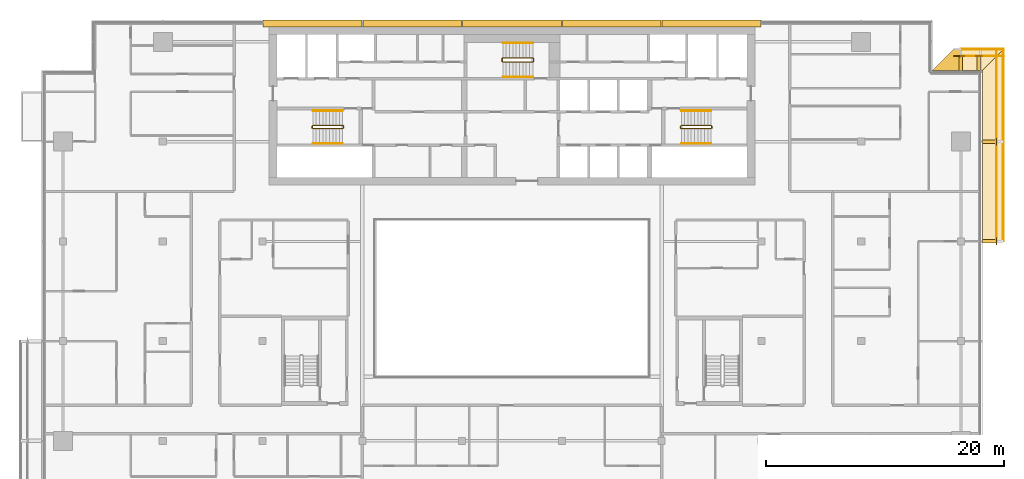
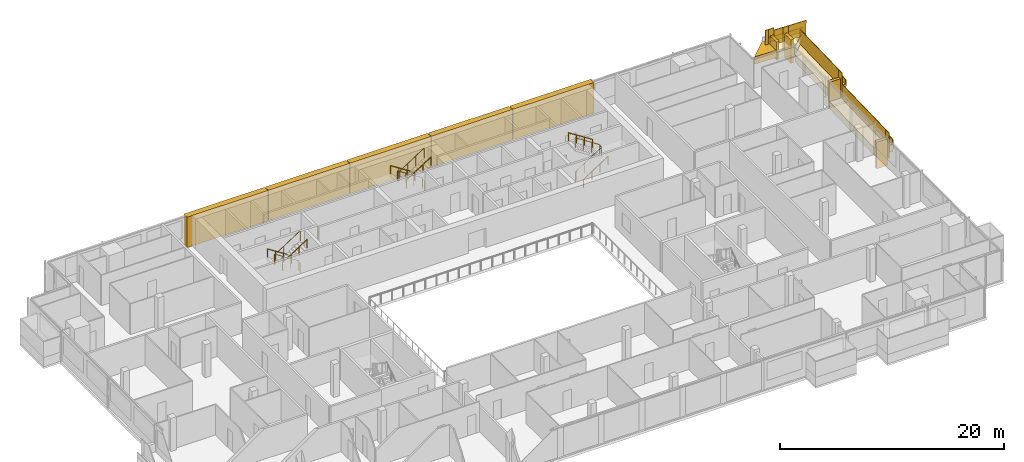
# One storey, part 28 of 30: 17 railings, 16 coverings.
"""IFC4 building model written with IfcOpenShell, lengths in metres."""

from ifc_helpers import new_model, si_unit, direction, frame, origin, origin_2d, place, context, subcontext, project, spatial, polyline, rectangle, circle, outline, extrude, material, layer, layer_set, type_object, element, save


model = new_model("IFC4")

# Units and contexts
model_context = context("Model", 3, precision=1e-05, world=origin(), true_north=direction((0.0, 1.0)))
body_context = subcontext(model_context, "Body", "Model", "MODEL_VIEW")
ifc_project = project(units=[si_unit("LENGTHUNIT", "METRE"), si_unit("AREAUNIT", "SQUARE_METRE"), si_unit("VOLUMEUNIT", "CUBIC_METRE"), si_unit("PLANEANGLEUNIT", "RADIAN"), si_unit("MASSUNIT", "GRAM", prefix="KILO")], contexts=[model_context])

# Site, building, storey
site_placement = place(None, origin())
site = spatial("IfcSite", under=ifc_project, at=site_placement, CompositionType="ELEMENT")
building_placement = place(site_placement, origin())
building = spatial("IfcBuilding", under=site, at=building_placement, Name="Saffron Gate Tower", CompositionType="ELEMENT")
storey_placement = place(building_placement, frame((0.0, 0.0, 223.5)))
storey = spatial("IfcBuildingStorey", under=building, at=storey_placement, Name="L54", CompositionType="ELEMENT", Elevation=223.5)

# Coverings
ifc_material_1 = material(Name="Ceramic-printed bronze insulated panel")
ifc_layer_1 = layer(ifc_material_1, 0.590087890625)
ifc_layer_set_1 = layer_set([ifc_layer_1], Name="CLD4 ceramic-printed cladding panel 590")
covering_type_1 = type_object("IfcCoveringType", Name="CLD4 ceramic-printed cladding panel 590", PredefinedType="CLADDING", material=ifc_layer_set_1)
covering_1_placement = place(storey_placement, origin())
element("IfcCovering", 1, at=covering_1_placement, inside=storey, type_object=covering_type_1, Name="CLADDING ceramic-printed panel", PredefinedType="CLADDING", context=body_context, shape_type="SweptSolid", body=[
    extrude(outline(polyline([(108.56494140625, 75.639892578125), (100.235107421875, 75.639892578125), (100.235107421875, 75.050048828125), (108.56494140625, 75.050048828125), (108.56494140625, 75.639892578125)])), origin(), (0.0, 0.0, 1.0), 3.320068359375),
])
covering_2_placement = place(storey_placement, origin())
element("IfcCovering", 2, at=covering_2_placement, inside=storey, type_object=covering_type_1, Name="CLADDING ceramic-printed panel", PredefinedType="CLADDING", context=body_context, shape_type="SweptSolid", body=[
    extrude(outline(polyline([(100.1650390625, 75.639892578125), (91.8349609375, 75.639892578125), (91.8349609375, 75.050048828125), (100.1650390625, 75.050048828125), (100.1650390625, 75.639892578125)])), origin(), (0.0, 0.0, 1.0), 3.320068359375),
])
covering_3_placement = place(storey_placement, origin())
element("IfcCovering", 3, at=covering_3_placement, inside=storey, type_object=covering_type_1, Name="CLADDING ceramic-printed panel", PredefinedType="CLADDING", context=body_context, shape_type="SweptSolid", body=[
    extrude(outline(polyline([(91.764892578125, 75.639892578125), (83.43505859375, 75.639892578125), (83.43505859375, 75.050048828125), (91.764892578125, 75.050048828125), (91.764892578125, 75.639892578125)])), origin(), (0.0, 0.0, 1.0), 3.320068359375),
])
covering_4_placement = place(storey_placement, origin())
element("IfcCovering", 4, at=covering_4_placement, inside=storey, type_object=covering_type_1, Name="CLADDING ceramic-printed panel", PredefinedType="CLADDING", context=body_context, shape_type="SweptSolid", body=[
    extrude(outline(polyline([(83.364990234375, 75.639892578125), (75.034912109375, 75.639892578125), (75.034912109375, 75.050048828125), (83.364990234375, 75.050048828125), (83.364990234375, 75.639892578125)])), origin(), (0.0, 0.0, 1.0), 3.320068359375),
])
covering_5_placement = place(storey_placement, origin())
element("IfcCovering", 5, at=covering_5_placement, inside=storey, type_object=covering_type_1, Name="CLADDING ceramic-printed panel", PredefinedType="CLADDING", context=body_context, shape_type="SweptSolid", body=[
    extrude(outline(polyline([(74.965087890625, 75.639892578125), (66.635009765625, 75.639892578125), (66.635009765625, 75.050048828125), (74.965087890625, 75.050048828125), (74.965087890625, 75.639892578125)])), origin(), (0.0, 0.0, 1.0), 3.320068359375),
])

# Railings
ifc_material_2 = material(Name="Stainless steel and laminated glass", Category="steel")
railing_type_1 = type_object("IfcRailingType", Name="CR1 Stair guard 1100", PredefinedType="GUARDRAIL", material=ifc_material_2)
railing_1_placement = place(storey_placement, frame((73.39990234375, 66.550048828125, 0.0)))
element("IfcRailing", 6, at=railing_1_placement, inside=storey, type_object=railing_type_1, Name="L54 ST-A stair guard 1", PredefinedType="GUARDRAIL", context=body_context, shape_type="SweptSolid", body=[
    extrude(circle(Radius=0.02392578125, at=origin_2d()), frame((0.0, 0.0, 1.076171875), z_axis=(0.0, 1.0, 0.0), x_axis=(-1.0, 0.0, 0.0)), (0.0, 0.0, 1.0), 0.14990234375),
    extrude(circle(Radius=0.02392578125, at=origin_2d()), frame((0.0, 0.14990234375, 1.076171875), z_axis=(-0.257669022063, 0.258932105505, 0.930892496375), x_axis=(-0.708833529934, -0.705375805398, 0.0)), (0.0, 0.0, 1.0), 0.193359375),
    extrude(circle(Radius=0.02392578125, at=origin_2d()), frame((-0.0498046875, 0.199951171875, 1.255859375), z_axis=(-0.841162588446, 0.0, 0.540782303519), x_axis=(0.0, -1.0, 0.0)), (0.0, 0.0, 1.0), 2.995849609375),
    extrude(circle(Radius=0.02392578125, at=origin_2d()), frame((-2.56982421875, 0.199951171875, 2.8759765625), z_axis=(-0.707106781187, -0.707106781187, 0.0), x_axis=(0.707106781187, -0.707106781187, 0.0)), (0.0, 0.0, 1.0), 0.07080078125),
    extrude(circle(Radius=0.02392578125, at=origin_2d()), frame((-2.619873046875, 0.14990234375, 2.8759765625), z_axis=(0.0, -1.0, 0.0), x_axis=(1.0, 0.0, 0.0)), (0.0, 0.0, 1.0), 0.14990234375),
    extrude(circle(Radius=0.02392578125, at=origin_2d()), frame((-2.619873046875, 0.0, 2.8759765625), z_axis=(0.258847668887, -0.258847668887, 0.930588936439), x_axis=(0.707106781187, 0.707106781187, 0.0)), (0.0, 0.0, 1.0), 0.193359375),
    extrude(circle(Radius=0.02392578125, at=origin_2d()), frame((-2.56982421875, -0.050048828125, 3.05615234375), z_axis=(0.841162588446, 0.0, 0.540782303519), x_axis=(0.0, 1.0, 0.0)), (0.0, 0.0, 1.0), 2.995849609375),
    extrude(circle(Radius=0.02099609375, at=origin_2d()), origin(), (0.0, 0.0, 1.0), 1.052001953125),
    extrude(circle(Radius=0.02099609375, at=origin_2d()), frame((0.0, 0.14990234375, 0.0)), (0.0, 0.0, 1.0), 1.052001953125),
    extrude(circle(Radius=0.02099609375, at=origin_2d()), frame((-0.0498046875, 0.199951171875, 0.179931640625)), (0.0, 0.0, 1.0), 1.052001953125),
    extrude(circle(Radius=0.02099609375, at=origin_2d()), frame((-0.889892578125, 0.199951171875, 0.719970703125)), (0.0, 0.0, 1.0), 1.052001953125),
    extrude(circle(Radius=0.02099609375, at=origin_2d()), frame((-1.729736328125, 0.199951171875, 1.260009765625)), (0.0, 0.0, 1.0), 1.052001953125),
    extrude(circle(Radius=0.02099609375, at=origin_2d()), frame((-2.56982421875, 0.199951171875, 1.800048828125)), (0.0, 0.0, 1.0), 1.052001953125),
    extrude(circle(Radius=0.02099609375, at=origin_2d()), frame((-2.619873046875, 0.14990234375, 1.800048828125)), (0.0, 0.0, 1.0), 1.052001953125),
    extrude(circle(Radius=0.02099609375, at=origin_2d()), frame((-2.619873046875, 0.0, 1.800048828125)), (0.0, 0.0, 1.0), 1.052001953125),
    extrude(circle(Radius=0.02099609375, at=origin_2d()), frame((-2.56982421875, -0.050048828125, 1.97998046875)), (0.0, 0.0, 1.0), 1.052001953125),
    extrude(circle(Radius=0.02099609375, at=origin_2d()), frame((-1.729736328125, -0.050048828125, 2.52001953125)), (0.0, 0.0, 1.0), 1.052001953125),
    extrude(circle(Radius=0.02099609375, at=origin_2d()), frame((-0.889892578125, -0.050048828125, 3.06005859375)), (0.0, 0.0, 1.0), 1.052001953125),
    extrude(circle(Radius=0.02099609375, at=origin_2d()), frame((-0.0498046875, -0.050048828125, 3.60009765625)), (0.0, 0.0, 1.0), 1.052001953125),
])
railing_2_placement = place(storey_placement, frame((101.800048828125, 66.699951171875, 0.0)))
element("IfcRailing", 7, at=railing_2_placement, inside=storey, type_object=railing_type_1, Name="L54 ST-B stair guard 1", PredefinedType="GUARDRAIL", context=body_context, shape_type="SweptSolid", body=[
    extrude(circle(Radius=0.02392578125, at=origin_2d()), frame((0.0, 0.0, 1.076171875), z_axis=(0.0, -1.0, 0.0), x_axis=(1.0, 0.0, 0.0)), (0.0, 0.0, 1.0), 0.14990234375),
    extrude(circle(Radius=0.02392578125, at=origin_2d()), frame((0.0, -0.14990234375, 1.076171875), z_axis=(0.258847668887, -0.258847668887, 0.930588936439), x_axis=(0.707106781187, 0.707106781187, 0.0)), (0.0, 0.0, 1.0), 0.193359375),
    extrude(circle(Radius=0.02392578125, at=origin_2d()), frame((0.050048828125, -0.199951171875, 1.255859375), z_axis=(0.841162588446, 0.0, 0.540782303519), x_axis=(0.0, 1.0, 0.0)), (0.0, 0.0, 1.0), 2.995849609375),
    extrude(circle(Radius=0.02392578125, at=origin_2d()), frame((2.570068359375, -0.199951171875, 2.8759765625), z_axis=(0.705375805398, 0.708833529934, 0.0), x_axis=(-0.708833529934, 0.705375805398, 0.0)), (0.0, 0.0, 1.0), 0.070556640625),
    extrude(circle(Radius=0.02392578125, at=origin_2d()), frame((2.619873046875, -0.14990234375, 2.8759765625), z_axis=(0.0, 1.0, 0.0), x_axis=(-1.0, 0.0, 0.0)), (0.0, 0.0, 1.0), 0.14990234375),
    extrude(circle(Radius=0.02392578125, at=origin_2d()), frame((2.619873046875, 0.0, 2.8759765625), z_axis=(-0.257669022063, 0.258932105505, 0.930892496375), x_axis=(-0.708833529934, -0.705375805398, 0.0)), (0.0, 0.0, 1.0), 0.193359375),
    extrude(circle(Radius=0.02392578125, at=origin_2d()), frame((2.570068359375, 0.050048828125, 3.05615234375), z_axis=(-0.841162588446, 0.0, 0.540782303519), x_axis=(0.0, -1.0, 0.0)), (0.0, 0.0, 1.0), 2.995849609375),
    extrude(circle(Radius=0.02099609375, at=origin_2d()), origin(), (0.0, 0.0, 1.0), 1.052001953125),
    extrude(circle(Radius=0.02099609375, at=origin_2d()), frame((0.0, -0.14990234375, 0.0)), (0.0, 0.0, 1.0), 1.052001953125),
    extrude(circle(Radius=0.02099609375, at=origin_2d()), frame((0.050048828125, -0.199951171875, 0.179931640625)), (0.0, 0.0, 1.0), 1.052001953125),
    extrude(circle(Radius=0.02099609375, at=origin_2d()), frame((0.89013671875, -0.199951171875, 0.719970703125)), (0.0, 0.0, 1.0), 1.052001953125),
    extrude(circle(Radius=0.02099609375, at=origin_2d()), frame((1.72998046875, -0.199951171875, 1.260009765625)), (0.0, 0.0, 1.0), 1.052001953125),
    extrude(circle(Radius=0.02099609375, at=origin_2d()), frame((2.570068359375, -0.199951171875, 1.800048828125)), (0.0, 0.0, 1.0), 1.052001953125),
    extrude(circle(Radius=0.02099609375, at=origin_2d()), frame((2.619873046875, -0.14990234375, 1.800048828125)), (0.0, 0.0, 1.0), 1.052001953125),
    extrude(circle(Radius=0.02099609375, at=origin_2d()), frame((2.619873046875, 0.0, 1.800048828125)), (0.0, 0.0, 1.0), 1.052001953125),
    extrude(circle(Radius=0.02099609375, at=origin_2d()), frame((2.570068359375, 0.050048828125, 1.97998046875)), (0.0, 0.0, 1.0), 1.052001953125),
    extrude(circle(Radius=0.02099609375, at=origin_2d()), frame((1.72998046875, 0.050048828125, 2.52001953125)), (0.0, 0.0, 1.0), 1.052001953125),
    extrude(circle(Radius=0.02099609375, at=origin_2d()), frame((0.89013671875, 0.050048828125, 3.06005859375)), (0.0, 0.0, 1.0), 1.052001953125),
    extrude(circle(Radius=0.02099609375, at=origin_2d()), frame((0.050048828125, 0.050048828125, 3.60009765625)), (0.0, 0.0, 1.0), 1.052001953125),
])
railing_3_placement = place(storey_placement, frame((89.39990234375, 72.14990234375, 0.0)))
element("IfcRailing", 8, at=railing_3_placement, inside=storey, type_object=railing_type_1, Name="L54 ST-C stair guard 1", PredefinedType="GUARDRAIL", context=body_context, shape_type="SweptSolid", body=[
    extrude(circle(Radius=0.02392578125, at=origin_2d()), frame((0.0, 0.0, 1.076171875), z_axis=(0.0, 1.0, 0.0), x_axis=(-1.0, 0.0, 0.0)), (0.0, 0.0, 1.0), 0.25),
    extrude(circle(Radius=0.02392578125, at=origin_2d()), frame((0.0, 0.25, 1.076171875), z_axis=(-0.257669022063, 0.258932105505, 0.930892496375), x_axis=(-0.708833529934, -0.705375805398, 0.0)), (0.0, 0.0, 1.0), 0.193359375),
    extrude(circle(Radius=0.02392578125, at=origin_2d()), frame((-0.0498046875, 0.300048828125, 1.255859375), z_axis=(-0.841162588446, 0.0, 0.540782303519), x_axis=(0.0, -1.0, 0.0)), (0.0, 0.0, 1.0), 2.995849609375),
    extrude(circle(Radius=0.02392578125, at=origin_2d()), frame((-2.56982421875, 0.300048828125, 2.8759765625), z_axis=(-0.707106781187, -0.707106781187, 0.0), x_axis=(0.707106781187, -0.707106781187, 0.0)), (0.0, 0.0, 1.0), 0.07080078125),
    extrude(circle(Radius=0.02392578125, at=origin_2d()), frame((-2.619873046875, 0.25, 2.8759765625), z_axis=(0.0, -1.0, 0.0), x_axis=(1.0, 0.0, 0.0)), (0.0, 0.0, 1.0), 0.25),
    extrude(circle(Radius=0.02392578125, at=origin_2d()), frame((-2.619873046875, 0.0, 2.8759765625), z_axis=(0.258932105505, -0.257669022063, 0.930892496375), x_axis=(0.705375805398, 0.708833529934, 0.0)), (0.0, 0.0, 1.0), 0.193359375),
    extrude(circle(Radius=0.02392578125, at=origin_2d()), frame((-2.56982421875, -0.0498046875, 3.05615234375), z_axis=(0.841162588446, 0.0, 0.540782303519), x_axis=(0.0, 1.0, 0.0)), (0.0, 0.0, 1.0), 2.995849609375),
    extrude(circle(Radius=0.02099609375, at=origin_2d()), origin(), (0.0, 0.0, 1.0), 1.052001953125),
    extrude(circle(Radius=0.02099609375, at=origin_2d()), frame((0.0, 0.25, 0.0)), (0.0, 0.0, 1.0), 1.052001953125),
    extrude(circle(Radius=0.02099609375, at=origin_2d()), frame((-0.0498046875, 0.300048828125, 0.179931640625)), (0.0, 0.0, 1.0), 1.052001953125),
    extrude(circle(Radius=0.02099609375, at=origin_2d()), frame((-0.889892578125, 0.300048828125, 0.719970703125)), (0.0, 0.0, 1.0), 1.052001953125),
    extrude(circle(Radius=0.02099609375, at=origin_2d()), frame((-1.729736328125, 0.300048828125, 1.260009765625)), (0.0, 0.0, 1.0), 1.052001953125),
    extrude(circle(Radius=0.02099609375, at=origin_2d()), frame((-2.56982421875, 0.300048828125, 1.800048828125)), (0.0, 0.0, 1.0), 1.052001953125),
    extrude(circle(Radius=0.02099609375, at=origin_2d()), frame((-2.619873046875, 0.25, 1.800048828125)), (0.0, 0.0, 1.0), 1.052001953125),
    extrude(circle(Radius=0.02099609375, at=origin_2d()), frame((-2.619873046875, 0.0, 1.800048828125)), (0.0, 0.0, 1.0), 1.052001953125),
    extrude(circle(Radius=0.02099609375, at=origin_2d()), frame((-2.56982421875, -0.0498046875, 1.97998046875)), (0.0, 0.0, 1.0), 1.052001953125),
    extrude(circle(Radius=0.02099609375, at=origin_2d()), frame((-1.729736328125, -0.0498046875, 2.52001953125)), (0.0, 0.0, 1.0), 1.052001953125),
    extrude(circle(Radius=0.02099609375, at=origin_2d()), frame((-0.889892578125, -0.0498046875, 3.06005859375)), (0.0, 0.0, 1.0), 1.052001953125),
    extrude(circle(Radius=0.02099609375, at=origin_2d()), frame((-0.0498046875, -0.0498046875, 3.60009765625)), (0.0, 0.0, 1.0), 1.052001953125),
])
ifc_material_3 = material(Name="Stainless steel", Category="steel")
railing_type_2 = type_object("IfcRailingType", Name="CR2 Stair handrail 900", PredefinedType="HANDRAIL", material=ifc_material_3)
railing_4_placement = place(storey_placement, frame((73.35009765625, 68.0, 0.179931640625)))
element("IfcRailing", 9, at=railing_4_placement, inside=storey, type_object=railing_type_2, Name="L54 ST-A stair handrail 1", PredefinedType="HANDRAIL", context=body_context, shape_type="SweptSolid", body=[
    extrude(circle(Radius=0.02392578125, at=origin_2d()), frame((0.0, 0.0, 0.8759765625), z_axis=(-0.841162588446, 0.0, 0.540782303519), x_axis=(0.0, -1.0, 0.0)), (0.0, 0.0, 1.0), 2.995849609375),
    extrude(circle(Radius=0.02099609375, at=origin_2d()), origin(), (0.0, 0.0, 1.0), 0.851806640625),
    extrude(circle(Radius=0.02099609375, at=origin_2d()), frame((-0.840087890625, 0.0, 0.5400390625)), (0.0, 0.0, 1.0), 0.851806640625),
    extrude(circle(Radius=0.02099609375, at=origin_2d()), frame((-1.679931640625, 0.0, 1.080078125)), (0.0, 0.0, 1.0), 0.851806640625),
    extrude(circle(Radius=0.02099609375, at=origin_2d()), frame((-2.52001953125, 0.0, 1.6201171875)), (0.0, 0.0, 1.0), 0.851806640625),
])
for number, where, name in (
    (10, (70.830078125, 65.25, 1.97998046875), "L54 ST-A stair handrail 2"),
    (11, (101.85009765625, 65.25, 0.179931640625), "L54 ST-B stair handrail 1"),
):
    element("IfcRailing", number, at=place(storey_placement, frame(where)), inside=storey, type_object=railing_type_2, Name=name, PredefinedType="HANDRAIL", context=body_context, shape_type="SweptSolid", body=[
        extrude(circle(Radius=0.02392578125, at=origin_2d()), frame((0.0, 0.0, 0.8759765625), z_axis=(0.841162588446, 0.0, 0.540782303519), x_axis=(0.0, 1.0, 0.0)), (0.0, 0.0, 1.0), 2.995849609375),
        extrude(circle(Radius=0.02099609375, at=origin_2d()), origin(), (0.0, 0.0, 1.0), 0.851806640625),
        extrude(circle(Radius=0.02099609375, at=origin_2d()), frame((0.840087890625, 0.0, 0.5400390625)), (0.0, 0.0, 1.0), 0.851806640625),
        extrude(circle(Radius=0.02099609375, at=origin_2d()), frame((1.679931640625, 0.0, 1.080078125)), (0.0, 0.0, 1.0), 0.851806640625),
        extrude(circle(Radius=0.02099609375, at=origin_2d()), frame((2.52001953125, 0.0, 1.6201171875)), (0.0, 0.0, 1.0), 0.851806640625),
    ])
for number, where, name in (
    (12, (104.3701171875, 68.0, 1.97998046875), "L54 ST-B stair handrail 2"),
    (13, (89.35009765625, 73.699951171875, 0.179931640625), "L54 ST-C stair handrail 1"),
):
    element("IfcRailing", number, at=place(storey_placement, frame(where)), inside=storey, type_object=railing_type_2, Name=name, PredefinedType="HANDRAIL", context=body_context, shape_type="SweptSolid", body=[
        extrude(circle(Radius=0.02392578125, at=origin_2d()), frame((0.0, 0.0, 0.8759765625), z_axis=(-0.841162588446, 0.0, 0.540782303519), x_axis=(0.0, -1.0, 0.0)), (0.0, 0.0, 1.0), 2.995849609375),
        extrude(circle(Radius=0.02099609375, at=origin_2d()), origin(), (0.0, 0.0, 1.0), 0.851806640625),
        extrude(circle(Radius=0.02099609375, at=origin_2d()), frame((-0.840087890625, 0.0, 0.5400390625)), (0.0, 0.0, 1.0), 0.851806640625),
        extrude(circle(Radius=0.02099609375, at=origin_2d()), frame((-1.679931640625, 0.0, 1.080078125)), (0.0, 0.0, 1.0), 0.851806640625),
        extrude(circle(Radius=0.02099609375, at=origin_2d()), frame((-2.52001953125, 0.0, 1.6201171875)), (0.0, 0.0, 1.0), 0.851806640625),
    ])
railing_5_placement = place(storey_placement, frame((86.830078125, 70.85009765625, 1.97998046875)))
element("IfcRailing", 14, at=railing_5_placement, inside=storey, type_object=railing_type_2, Name="L54 ST-C stair handrail 2", PredefinedType="HANDRAIL", context=body_context, shape_type="SweptSolid", body=[
    extrude(circle(Radius=0.02392578125, at=origin_2d()), frame((0.0, 0.0, 0.8759765625), z_axis=(0.841162588446, 0.0, 0.540782303519), x_axis=(0.0, 1.0, 0.0)), (0.0, 0.0, 1.0), 2.995849609375),
    extrude(circle(Radius=0.02099609375, at=origin_2d()), origin(), (0.0, 0.0, 1.0), 0.851806640625),
    extrude(circle(Radius=0.02099609375, at=origin_2d()), frame((0.840087890625, 0.0, 0.5400390625)), (0.0, 0.0, 1.0), 0.851806640625),
    extrude(circle(Radius=0.02099609375, at=origin_2d()), frame((1.679931640625, 0.0, 1.080078125)), (0.0, 0.0, 1.0), 0.851806640625),
    extrude(circle(Radius=0.02099609375, at=origin_2d()), frame((2.52001953125, 0.0, 1.6201171875)), (0.0, 0.0, 1.0), 0.851806640625),
])

# Coverings
ifc_material_4 = material(Name="Timber, thermally modified ash", Category="wood")
ifc_layer_2 = layer(ifc_material_4, 0.800048828125)
ifc_layer_set_2 = layer_set([ifc_layer_2], Name="LD1 ledge timber")
covering_type_2 = type_object("IfcCoveringType", Name="LD1 ledge timber", PredefinedType="CLADDING", material=ifc_layer_set_2)
covering_6_placement = place(storey_placement, frame((127.199951171875, 57.0, 0.4140625), z_axis=(0.0, -0.028791175352, 0.999585448184), x_axis=(0.0, 0.999585448184, 0.028791175352)))
element("IfcCovering", 15, at=covering_6_placement, inside=storey, type_object=covering_type_2, Name="LEDGE", PredefinedType="CLADDING", context=body_context, shape_type="SweptSolid", body=[
    extrude(outline(polyline([(0.0, 0.0), (8.403385982666892, 0.0), (8.403385982666892, -1.800048828125), (0.0, -1.800048828125), (0.0, 0.0)])), origin(), (0.0, 0.0, -1.0), 0.800048828125),
])
covering_7_placement = place(storey_placement, frame((127.199951171875, 65.39990234375, 1.8564453125), z_axis=(2.391759e-05, -0.028789477025, 0.999585496814), x_axis=(-1.72e-10, 0.9995854971, 0.028789477033)))
element("IfcCovering", 16, at=covering_7_placement, inside=storey, type_object=covering_type_2, Name="LEDGE", PredefinedType="CLADDING", context=body_context, shape_type="SweptSolid", body=[
    extrude(outline(polyline([(0.0, 0.0), (6.002489288687248, 8.470329472543003e-22), (7.80328207139786, -1.8000488299785034), (-3.0879623774719253e-10, -1.8000488276101398), (0.0, 0.0)])), origin(), (0.0, 0.0, -1.0), 0.800048828125),
])
covering_8_placement = place(storey_placement, frame((127.199951171875, 71.39990234375, 2.88671875), z_axis=(0.028786835276, 4.5191264e-05, 0.999585572161), x_axis=(-0.999585573182, 2.041e-09, 0.028786835305)))
element("IfcCovering", 17, at=covering_8_placement, inside=storey, type_object=covering_type_2, Name="LEDGE", PredefinedType="CLADDING", context=body_context, shape_type="SweptSolid", body=[
    extrude(outline(polyline([(0.0, 0.0), (1.8007927832406818, 0.0), (1.8007927869153135, -1.800048826286925), (-1.8007998076020133, -1.8000488373153904), (0.0, 0.0)])), origin(), (0.0, 0.0, -1.0), 0.800048828125),
])
covering_9_placement = place(storey_placement, frame((125.39990234375, 71.39990234375, 3.19580078125), z_axis=(0.028798988267, -2.8677152e-05, 0.999585222706), x_axis=(-0.999585223117, -6.17e-10, 0.028798988279)))
element("IfcCovering", 18, at=covering_9_placement, inside=storey, type_object=covering_type_2, Name="LEDGE", PredefinedType="CLADDING", context=body_context, shape_type="SweptSolid", body=[
    extrude(outline(polyline([(0.0, 0.0), (2.400896693585025, 4.235164736271502e-22), (0.6001039103565923, -1.8000488292351675), (-1.1098572600196767e-09, -1.8000488273848385), (0.0, 0.0)])), origin(), (0.0, 0.0, -1.0), 0.800048828125),
])
ifc_layer_3 = layer(ifc_material_4, 0.080078125)
ifc_layer_set_3 = layer_set([ifc_layer_3], Name="LD2 ledge planter trough")
covering_type_3 = type_object("IfcCoveringType", Name="LD2 ledge planter trough", PredefinedType="CLADDING", material=ifc_layer_set_3)
covering_10_placement = place(storey_placement, frame((129.0, 57.0, 0.4140625), z_axis=(1.0, 0.0, 0.0), x_axis=(0.0, 0.999585448184, 0.028791175352)))
element("IfcCovering", 19, at=covering_10_placement, inside=storey, type_object=covering_type_3, Name="LEDGE planter trough", PredefinedType="CLADDING", context=body_context, shape_type="SweptSolid", body=[
    extrude(outline(polyline([(0.0, 0.0), (8.403385982666892, 0.0), (8.417781570342743, 0.49979272409216496), (0.014395587675851172, 0.4997927240921649), (0.0, 0.0)])), origin(), (0.0, 0.0, -1.0), 0.080078125),
])
covering_11_placement = place(storey_placement, frame((129.0, 65.39990234375, 1.8564453125), z_axis=(1.0, 0.0, 0.0), x_axis=(0.0, 0.999585655924, 0.028783962047)))
element("IfcCovering", 20, at=covering_11_placement, inside=storey, type_object=covering_type_3, Name="LEDGE planter trough", PredefinedType="CLADDING", context=body_context, shape_type="SweptSolid", body=[
    extrude(outline(polyline([(0.0, 0.0), (7.803282071825423, 2.7755575615628914e-17), (7.817674052849086, 0.4997928279619612), (0.014391981023662846, 0.4997928279619612), (0.0, 0.0)])), origin(), (0.0, 0.0, -1.0), 0.080078125),
])
covering_12_placement = place(storey_placement, frame((129.0, 73.199951171875, 2.834716796875), z_axis=(0.0, 1.0, 0.0), x_axis=(-0.99958492274, 0.0, 0.028809412191)))
element("IfcCovering", 21, at=covering_12_placement, inside=storey, type_object=covering_type_3, Name="LEDGE planter trough", PredefinedType="CLADDING", context=body_context, shape_type="SweptSolid", body=[
    extrude(outline(polyline([(0.0, 0.0), (3.601592595435983, 0.0), (3.6159973015313485, 0.4997924613700232), (0.014404706095365512, 0.4997924613700232), (0.0, 0.0)])), origin(), (0.0, 0.0, -1.0), 0.080078125),
])
ifc_layer_4 = layer(ifc_material_4, 0.300048828125)
ifc_layer_set_4 = layer_set([ifc_layer_4], Name="LD3 ledge riser fin")
covering_type_4 = type_object("IfcCoveringType", Name="LD3 ledge riser fin", PredefinedType="CLADDING", material=ifc_layer_set_4)
for number, where, z_axis, x_axis, name in (
    (22, (127.760009765625, 57.0, -1.586181640625), (0.0, 0.0, 1.0), (0.0, 1.0, 0.0), "LEDGE riser fin"),
    (23, (127.760009765625, 65.39990234375, -0.14404296875), (0.0, 0.0, 1.0), (0.0, 1.0, 0.0), "LEDGE riser fin"),
):
    element("IfcCovering", number, at=place(storey_placement, frame(where, z_axis=z_axis, x_axis=x_axis)), inside=storey, type_object=covering_type_4, Name=name, PredefinedType="CLADDING", context=body_context, shape_type="SweptSolid", body=[
        extrude(rectangle(XDim=0.300048828125, YDim=1.1201171875, at=origin_2d()), origin(), (0.0, 0.0, 1.0), 2.900390625),
    ])
covering_13_placement = place(storey_placement, frame((126.89990234375, 71.9599609375, 1.2294921875), z_axis=(0.0, 0.0, 1.0), x_axis=(-1.0, 0.0, 0.0)))
element("IfcCovering", 24, at=covering_13_placement, inside=storey, type_object=covering_type_4, Name="LEDGE riser fin", PredefinedType="CLADDING", context=body_context, shape_type="SweptSolid", body=[
    extrude(rectangle(XDim=0.300048828125, YDim=1.1201171875, at=origin_2d()), origin(), (0.0, 0.0, 1.0), 2.557373046875),
])
covering_14_placement = place(storey_placement, frame((125.39990234375, 71.9599609375, 2.138671875), z_axis=(0.0, 0.0, 1.0), x_axis=(-1.0, 0.0, 0.0)))
element("IfcCovering", 25, at=covering_14_placement, inside=storey, type_object=covering_type_4, Name="LEDGE riser fin", PredefinedType="CLADDING", context=body_context, shape_type="SweptSolid", body=[
    extrude(rectangle(XDim=0.300048828125, YDim=1.1201171875, at=origin_2d()), origin(), (0.0, 0.0, 1.0), 1.957275390625),
])

# Railings
railing_type_3 = type_object("IfcRailingType", Name="LG1 ledge balustrade", PredefinedType="BALUSTRADE", material=ifc_material_4)
railing_6_placement = place(storey_placement, frame((128.39990234375, 57.0, 0.4140625)))
element("IfcRailing", 26, at=railing_6_placement, inside=storey, type_object=railing_type_3, Name="LEDGE BALUSTRADE", PredefinedType="BALUSTRADE", context=body_context, shape_type="SweptSolid", body=[
    extrude(rectangle(XDim=0.06005859375, YDim=1.60009765625, at=origin_2d()), frame((0.0, 0.0, 0.800048828125), z_axis=(0.0, 0.999585448184, 0.028791175352), x_axis=(-1.0, 0.0, 0.0)), (0.0, 0.0, 1.0), 8.4033203125),
])
railing_7_placement = place(storey_placement, frame((128.39990234375, 56.699951171875, -0.786376953125)))
element("IfcRailing", 27, at=railing_7_placement, inside=storey, type_object=railing_type_3, Name="LEDGE BALUSTRADE", PredefinedType="BALUSTRADE", context=body_context, shape_type="SweptSolid", body=[
    extrude(rectangle(XDim=0.06005859375, YDim=2.80029296875, at=origin_2d()), frame((0.0, 0.0, 1.400146484375), z_axis=(0.0, 1.0, 0.0), x_axis=(-1.0, 0.0, 0.0)), (0.0, 0.0, 1.0), 0.60009765625),
])
railing_8_placement = place(storey_placement, frame((128.39990234375, 65.39990234375, 1.8564453125)))
element("IfcRailing", 28, at=railing_8_placement, inside=storey, type_object=railing_type_3, Name="LEDGE BALUSTRADE", PredefinedType="BALUSTRADE", context=body_context, shape_type="SweptSolid", body=[
    extrude(rectangle(XDim=0.06005859375, YDim=1.60009765625, at=origin_2d()), frame((0.0, 0.0, 0.800048828125), z_axis=(0.0, 0.999585655924, 0.028783962047), x_axis=(-1.0, 0.0, 0.0)), (0.0, 0.0, 1.0), 7.80322265625),
])
railing_9_placement = place(storey_placement, frame((128.39990234375, 65.10009765625, 0.656005859375)))
element("IfcRailing", 29, at=railing_9_placement, inside=storey, type_object=railing_type_3, Name="LEDGE BALUSTRADE", PredefinedType="BALUSTRADE", context=body_context, shape_type="SweptSolid", body=[
    extrude(rectangle(XDim=0.06005859375, YDim=2.80029296875, at=origin_2d()), frame((0.0, 0.0, 1.400146484375), z_axis=(0.0, 1.0, 0.0), x_axis=(-1.0, 0.0, 0.0)), (0.0, 0.0, 1.0), 0.599853515625),
])
railing_10_placement = place(storey_placement, frame((129.0, 72.60009765625, 2.834716796875)))
element("IfcRailing", 30, at=railing_10_placement, inside=storey, type_object=railing_type_3, Name="LEDGE BALUSTRADE", PredefinedType="BALUSTRADE", context=body_context, shape_type="SweptSolid", body=[
    extrude(rectangle(XDim=0.06005859375, YDim=1.60009765625, at=origin_2d()), frame((0.0, 0.0, 0.800048828125), z_axis=(-0.99958492274, 0.0, 0.028809412191), x_axis=(0.0, -1.0, 0.0)), (0.0, 0.0, 1.0), 3.6015625),
])
railing_11_placement = place(storey_placement, frame((127.199951171875, 72.60009765625, 2.029296875)))
element("IfcRailing", 31, at=railing_11_placement, inside=storey, type_object=railing_type_3, Name="LEDGE BALUSTRADE", PredefinedType="BALUSTRADE", context=body_context, shape_type="SweptSolid", body=[
    extrude(rectangle(XDim=0.06005859375, YDim=2.45751953125, at=origin_2d()), frame((0.0, 0.0, 1.228759765625), z_axis=(-1.0, 0.0, 0.0), x_axis=(0.0, -1.0, 0.0)), (0.0, 0.0, 1.0), 0.599853515625),
])
railing_12_placement = place(storey_placement, frame((125.39990234375, 72.60009765625, 3.19580078125)))
element("IfcRailing", 32, at=railing_12_placement, inside=storey, type_object=railing_type_3, Name="LEDGE BALUSTRADE", PredefinedType="BALUSTRADE", context=body_context, shape_type="SweptSolid", body=[
    extrude(rectangle(XDim=0.06005859375, YDim=1.60009765625, at=origin_2d()), frame((0.0, 0.0, 0.800048828125), z_axis=(-0.999582742162, 0.0, 0.028884971385), x_axis=(0.0, -1.0, 0.0)), (0.0, 0.0, 1.0), 0.60009765625),
])
railing_13_placement = place(storey_placement, frame((125.699951171875, 72.60009765625, 2.9384765625)))
element("IfcRailing", 33, at=railing_13_placement, inside=storey, type_object=railing_type_3, Name="LEDGE BALUSTRADE", PredefinedType="BALUSTRADE", context=body_context, shape_type="SweptSolid", body=[
    extrude(rectangle(XDim=0.06005859375, YDim=1.857177734375, at=origin_2d()), frame((0.0, 0.0, 0.9287109375), z_axis=(-1.0, 0.0, 0.0), x_axis=(0.0, -1.0, 0.0)), (0.0, 0.0, 1.0), 0.599853515625),
])

save(model, "model.ifc")
